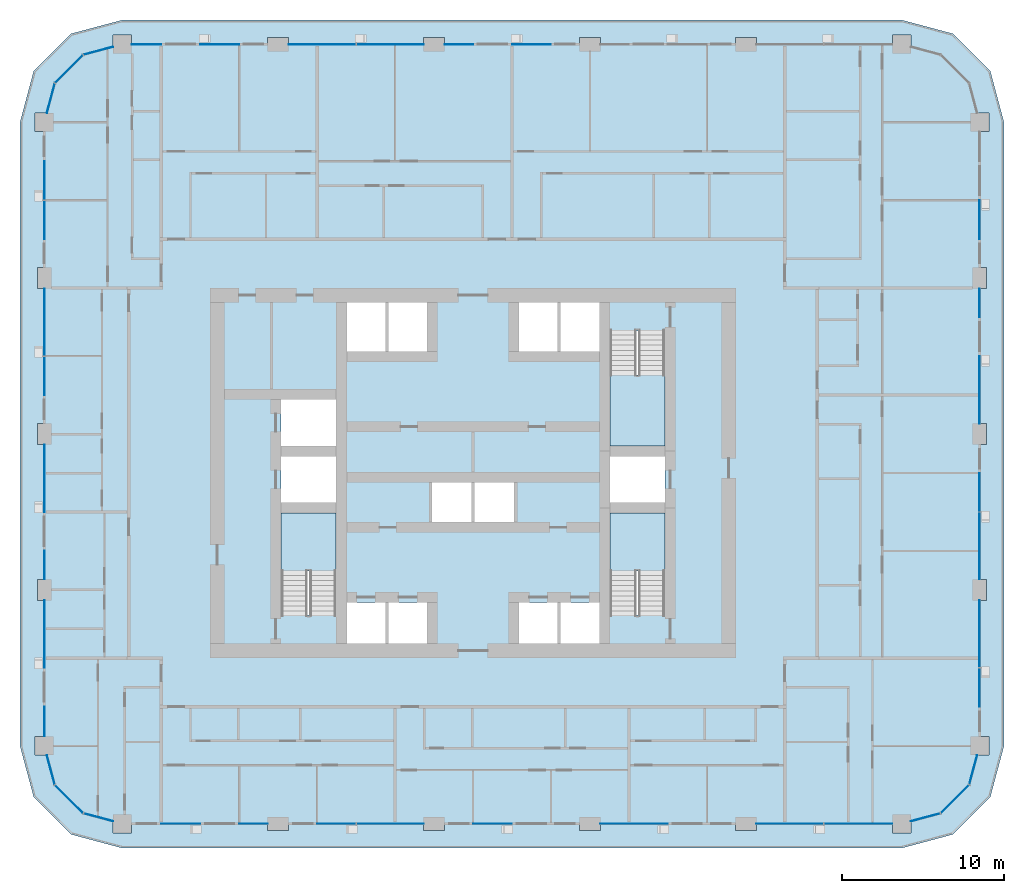
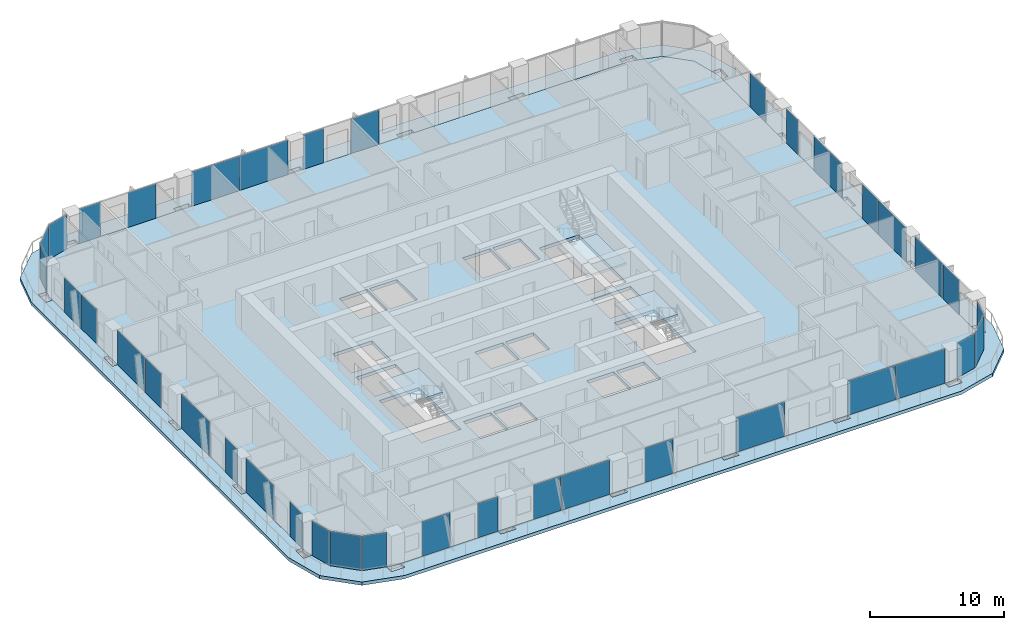
# One storey, part 7 of 21: 38 plates, 5 slabs, 22 elements without a shape of their own.
"""IFC4 building model written with IfcOpenShell, lengths in metres."""

from ifc_helpers import new_model, si_unit, direction, frame, origin, origin_2d, place, context, subcontext, project, spatial, polyline, rectangle, outline, extrude, material, layer, layer_set, type_object, element, aggregate, save


model = new_model("IFC4")

# Units and contexts
model_context = context("Model", 3, precision=1e-05, world=origin(), true_north=direction((0.0, 1.0)))
body_context = subcontext(model_context, "Body", "Model", "MODEL_VIEW")
ifc_project = project(units=[si_unit("LENGTHUNIT", "METRE"), si_unit("AREAUNIT", "SQUARE_METRE"), si_unit("VOLUMEUNIT", "CUBIC_METRE"), si_unit("PLANEANGLEUNIT", "RADIAN"), si_unit("MASSUNIT", "GRAM", prefix="KILO")], contexts=[model_context])

# Site, building, storey
site_placement = place(None, origin())
site = spatial("IfcSite", under=ifc_project, at=site_placement, CompositionType="ELEMENT")
building_placement = place(site_placement, origin())
building = spatial("IfcBuilding", under=site, at=building_placement, Name="Madar Terraces", CompositionType="ELEMENT")
storey_placement = place(building_placement, frame((0.0, 0.0, 106.699951171875)))
storey = spatial("IfcBuildingStorey", under=building, at=storey_placement, Name="L27", CompositionType="ELEMENT", Elevation=106.699951171875)

# Slabs
ifc_material_1 = material(Name="Concrete C50/60", Category="concrete")
ifc_layer_1 = layer(ifc_material_1, 0.300048828125)
ifc_layer_set_1 = layer_set([ifc_layer_1], Name="Balcony band 300")
slab_type_1 = type_object("IfcSlabType", Name="Balcony band 300", PredefinedType="FLOOR", material=ifc_layer_set_1)
slab_1_placement = place(storey_placement, frame((0.0, 0.0, -0.300048828125)))
element("IfcSlab", 1, at=slab_1_placement, inside=storey, type_object=slab_type_1, Name="Balcony band", PredefinedType="FLOOR", context=body_context, shape_type="SweptSolid", body=[
    extrude(outline(polyline([(9.60009765625, 3.300048828125), (6.449951171875, 4.14404296875), (4.14404296875, 6.449951171875), (3.300048828125, 9.60009765625), (3.300048828125, 48.0), (4.14404296875, 51.14990234375), (6.449951171875, 53.4560546875), (9.60009765625, 54.300048828125), (57.60009765625, 54.300048828125), (60.75, 53.4560546875), (63.055908203125, 51.14990234375), (63.89990234375, 48.0), (63.89990234375, 9.60009765625), (63.055908203125, 6.449951171875), (60.75, 4.14404296875), (57.60009765625, 3.300048828125), (9.60009765625, 3.300048828125)]), holes=[polyline([(10.175048828125, 4.22509765625), (10.175048828125, 4.800048828125), (18.550048828125, 4.800048828125), (18.550048828125, 4.375), (19.85009765625, 4.375), (19.85009765625, 4.800048828125), (28.14990234375, 4.800048828125), (28.14990234375, 4.375), (29.449951171875, 4.375), (29.449951171875, 4.800048828125), (37.75, 4.800048828125), (37.75, 4.375), (39.050048828125, 4.375), (39.050048828125, 4.800048828125), (47.35009765625, 4.800048828125), (47.35009765625, 4.375), (48.64990234375, 4.375), (48.64990234375, 4.800048828125), (57.02490234375, 4.800048828125), (57.02490234375, 4.22509765625), (58.175048828125, 4.22509765625), (58.175048828125, 4.9541015625), (60.0, 5.443115234375), (61.7568359375, 7.199951171875), (62.245849609375, 9.02490234375), (62.97509765625, 9.02490234375), (62.97509765625, 10.175048828125), (62.39990234375, 10.175048828125), (62.39990234375, 18.550048828125), (62.824951171875, 18.550048828125), (62.824951171875, 19.85009765625), (62.39990234375, 19.85009765625), (62.39990234375, 28.14990234375), (62.824951171875, 28.14990234375), (62.824951171875, 29.449951171875), (62.39990234375, 29.449951171875), (62.39990234375, 37.75), (62.824951171875, 37.75), (62.824951171875, 39.050048828125), (62.39990234375, 39.050048828125), (62.39990234375, 47.425048828125), (62.97509765625, 47.425048828125), (62.97509765625, 48.574951171875), (62.245849609375, 48.574951171875), (61.7568359375, 50.39990234375), (60.0, 52.156982421875), (58.175048828125, 52.64599609375), (58.175048828125, 53.375), (57.02490234375, 53.375), (57.02490234375, 52.800048828125), (48.64990234375, 52.800048828125), (48.64990234375, 53.22509765625), (47.35009765625, 53.22509765625), (47.35009765625, 52.800048828125), (39.050048828125, 52.800048828125), (39.050048828125, 53.22509765625), (37.75, 53.22509765625), (37.75, 52.800048828125), (29.449951171875, 52.800048828125), (29.449951171875, 53.22509765625), (28.14990234375, 53.22509765625), (28.14990234375, 52.800048828125), (19.85009765625, 52.800048828125), (19.85009765625, 53.22509765625), (18.550048828125, 53.22509765625), (18.550048828125, 52.800048828125), (10.175048828125, 52.800048828125), (10.175048828125, 53.375), (9.02490234375, 53.375), (9.02490234375, 52.64599609375), (7.199951171875, 52.156982421875), (5.443115234375, 50.39990234375), (4.9541015625, 48.574951171875), (4.22509765625, 48.574951171875), (4.22509765625, 47.425048828125), (4.800048828125, 47.425048828125), (4.800048828125, 39.050048828125), (4.375, 39.050048828125), (4.375, 37.75), (4.800048828125, 37.75), (4.800048828125, 29.449951171875), (4.375, 29.449951171875), (4.375, 28.14990234375), (4.800048828125, 28.14990234375), (4.800048828125, 19.85009765625), (4.375, 19.85009765625), (4.375, 18.550048828125), (4.800048828125, 18.550048828125), (4.800048828125, 10.175048828125), (4.22509765625, 10.175048828125), (4.22509765625, 9.02490234375), (4.9541015625, 9.02490234375), (5.443115234375, 7.199951171875), (7.199951171875, 5.443115234375), (9.02490234375, 4.9541015625), (9.02490234375, 4.22509765625), (10.175048828125, 4.22509765625)])]), origin(), (0.0, 0.0, 1.0), 0.300048828125),
])
ifc_material_2 = material(Name="Concrete C50/60", Category="concrete")
ifc_layer_2 = layer(ifc_material_2, 0.300048828125)
ifc_layer_set_2 = layer_set([ifc_layer_2], Name="FS2 PT flat slab 300")
slab_type_2 = type_object("IfcSlabType", Name="FS2 PT flat slab 300", PredefinedType="FLOOR", material=ifc_layer_set_2)
slab_2_placement = place(storey_placement, frame((0.0, 0.0, -0.300048828125)))
element("IfcSlab", 2, at=slab_2_placement, inside=storey, type_object=slab_type_2, Name="Floor slab L27 (1)", PredefinedType="FLOOR", context=body_context, shape_type="SweptSolid", body=[
    extrude(outline(polyline([(57.60009765625, 4.800048828125), (60.0, 5.443115234375), (61.7568359375, 7.199951171875), (62.39990234375, 9.60009765625), (62.39990234375, 48.0), (61.7568359375, 50.39990234375), (60.0, 52.156982421875), (57.60009765625, 52.800048828125), (9.60009765625, 52.800048828125), (7.199951171875, 52.156982421875), (5.443115234375, 50.39990234375), (4.800048828125, 48.0), (4.800048828125, 9.60009765625), (5.443115234375, 7.199951171875), (7.199951171875, 5.443115234375), (9.60009765625, 4.800048828125), (57.60009765625, 4.800048828125)]), holes=[polyline([(23.425048828125, 15.89990234375), (23.425048828125, 18.425048828125), (25.800048828125, 18.425048828125), (25.800048828125, 15.89990234375), (23.425048828125, 15.89990234375)]), polyline([(26.0, 15.89990234375), (26.0, 18.425048828125), (28.375, 18.425048828125), (28.375, 15.89990234375), (26.0, 15.89990234375)]), polyline([(19.375, 17.64990234375), (19.375, 23.925048828125), (22.77490234375, 23.925048828125), (22.77490234375, 17.64990234375), (19.375, 17.64990234375)]), polyline([(28.675048828125, 23.375), (28.675048828125, 25.824951171875), (31.10009765625, 25.824951171875), (31.10009765625, 23.375), (28.675048828125, 23.375)]), polyline([(19.375, 24.574951171875), (19.375, 27.425048828125), (22.77490234375, 27.425048828125), (22.77490234375, 24.574951171875), (19.375, 24.574951171875)]), polyline([(19.375, 28.074951171875), (19.375, 30.925048828125), (22.77490234375, 30.925048828125), (22.77490234375, 28.074951171875), (19.375, 28.074951171875)]), polyline([(23.425048828125, 33.875), (23.425048828125, 36.89990234375), (25.800048828125, 36.89990234375), (25.800048828125, 33.875), (23.425048828125, 33.875)]), polyline([(26.0, 33.875), (26.0, 36.89990234375), (28.375, 36.89990234375), (28.375, 33.875), (26.0, 33.875)]), polyline([(34.02490234375, 15.89990234375), (34.02490234375, 18.425048828125), (36.39990234375, 18.425048828125), (36.39990234375, 15.89990234375), (34.02490234375, 15.89990234375)]), polyline([(36.60009765625, 15.89990234375), (36.60009765625, 18.425048828125), (38.97509765625, 18.425048828125), (38.97509765625, 15.89990234375), (36.60009765625, 15.89990234375)]), polyline([(39.625, 17.64990234375), (39.625, 23.925048828125), (43.02490234375, 23.925048828125), (43.02490234375, 17.64990234375), (39.625, 17.64990234375)]), polyline([(31.300048828125, 23.375), (31.300048828125, 25.824951171875), (33.72509765625, 25.824951171875), (33.72509765625, 23.375), (31.300048828125, 23.375)]), polyline([(39.625, 24.574951171875), (39.625, 27.425048828125), (43.02490234375, 27.425048828125), (43.02490234375, 24.574951171875), (39.625, 24.574951171875)]), polyline([(39.625, 28.074951171875), (39.625, 35.14990234375), (43.02490234375, 35.14990234375), (43.02490234375, 28.074951171875), (39.625, 28.074951171875)]), polyline([(34.02490234375, 33.875), (34.02490234375, 36.89990234375), (36.39990234375, 36.89990234375), (36.39990234375, 33.875), (34.02490234375, 33.875)]), polyline([(36.60009765625, 33.875), (36.60009765625, 36.89990234375), (38.97509765625, 36.89990234375), (38.97509765625, 33.875), (36.60009765625, 33.875)])]), origin(), (0.0, 0.0, 1.0), 0.300048828125),
])

# Curtain wall, plates
ifc_material_3 = material(Name="Glass, ceramic frit dark grey, with black aluminium frame", Category="aluminium")
ifc_layer_3 = layer(ifc_material_3, 0.199951171875)
ifc_layer_set_3 = layer_set([ifc_layer_3], Name="Facade curtain wall, fritted glass")
curtain_wall_type = type_object("IfcCurtainWallType", Name="Facade curtain wall, fritted glass", PredefinedType="NOTDEFINED", material=ifc_layer_set_3)
curtain_wall_1_placement = place(storey_placement, origin())
curtain_wall_1 = element("IfcCurtainWall", 3, at=curtain_wall_1_placement, inside=storey, type_object=curtain_wall_type, Name="Outer skin curtain wall south bay 1", PredefinedType="NOTDEFINED")
ifc_material_4 = material(Name="Glass, ceramic frit dark grey", Category="glass")
ifc_layer_4 = layer(ifc_material_4, 0.028076171875)
ifc_layer_set_4 = layer_set([ifc_layer_4], Name="Facade glass panel 28")
plate_type = type_object("IfcPlateType", Name="Facade glass panel 28", PredefinedType="CURTAIN_PANEL", material=ifc_layer_set_4)
plate_1_placement = place(storey_placement, frame((13.199951171875, 4.800048828125, 0.0), z_axis=(0.0, 0.0, 1.0), x_axis=(1.0, 0.0, 0.0)))
plate_1 = element("IfcPlate", 4, at=plate_1_placement, type_object=plate_type, Name="Panel 1", PredefinedType="CURTAIN_PANEL", context=body_context, shape_type="SweptSolid", body=[
    extrude(rectangle(XDim=2.39990234375, YDim=0.028076171875, at=origin_2d()), origin(), (0.0, 0.0, 1.0), 3.139892578125),
])
plate_2_placement = place(storey_placement, frame((17.675048828125, 4.800048828125, 0.0), z_axis=(0.0, 0.0, 1.0), x_axis=(1.0, 0.0, 0.0)))
plate_2 = element("IfcPlate", 5, at=plate_2_placement, type_object=plate_type, Name="Panel 2", PredefinedType="CURTAIN_PANEL", context=body_context, shape_type="SweptSolid", body=[
    extrude(rectangle(XDim=1.75, YDim=0.028076171875, at=origin_2d()), origin(), (0.0, 0.0, 1.0), 3.139892578125),
])
aggregate(curtain_wall_1, [plate_1, plate_2])

curtain_wall_2_placement = place(storey_placement, origin())
curtain_wall_2 = element("IfcCurtainWall", 6, at=curtain_wall_2_placement, inside=storey, type_object=curtain_wall_type, Name="Outer skin curtain wall south bay 2", PredefinedType="NOTDEFINED")
plate_3_placement = place(storey_placement, frame((22.784912109375, 4.800048828125, 0.0), z_axis=(0.0, 0.0, 1.0), x_axis=(1.0, 0.0, 0.0)))
plate_3 = element("IfcPlate", 7, at=plate_3_placement, type_object=plate_type, Name="Panel 1", PredefinedType="CURTAIN_PANEL", context=body_context, shape_type="SweptSolid", body=[
    extrude(rectangle(XDim=2.3701171875, YDim=0.028076171875, at=origin_2d()), origin(), (0.0, 0.0, 1.0), 3.139892578125),
])
plate_4_placement = place(storey_placement, frame((26.090087890625, 4.800048828125, 0.0), z_axis=(0.0, 0.0, 1.0), x_axis=(1.0, 0.0, 0.0)))
plate_4 = element("IfcPlate", 8, at=plate_4_placement, type_object=plate_type, Name="Panel 2", PredefinedType="CURTAIN_PANEL", context=body_context, shape_type="SweptSolid", body=[
    extrude(rectangle(XDim=4.1201171875, YDim=0.028076171875, at=origin_2d()), origin(), (0.0, 0.0, 1.0), 3.139892578125),
])
aggregate(curtain_wall_2, [plate_3, plate_4])

# Curtain wall, plate
curtain_wall_3_placement = place(storey_placement, origin())
curtain_wall_3 = element("IfcCurtainWall", 9, at=curtain_wall_3_placement, inside=storey, type_object=curtain_wall_type, Name="Outer skin curtain wall south bay 3", PredefinedType="NOTDEFINED")
plate_5_placement = place(storey_placement, frame((32.39990234375, 4.800048828125, 0.0), z_axis=(0.0, 0.0, 1.0), x_axis=(1.0, 0.0, 0.0)))
plate_5 = element("IfcPlate", 10, at=plate_5_placement, type_object=plate_type, Name="Panel 1", PredefinedType="CURTAIN_PANEL", context=body_context, shape_type="SweptSolid", body=[
    extrude(rectangle(XDim=2.39990234375, YDim=0.028076171875, at=origin_2d()), origin(), (0.0, 0.0, 1.0), 3.139892578125),
])
aggregate(curtain_wall_3, [plate_5])

curtain_wall_4_placement = place(storey_placement, origin())
curtain_wall_4 = element("IfcCurtainWall", 11, at=curtain_wall_4_placement, inside=storey, type_object=curtain_wall_type, Name="Outer skin curtain wall south bay 4", PredefinedType="NOTDEFINED")
plate_6_placement = place(storey_placement, frame((41.125, 4.800048828125, 0.0), z_axis=(0.0, 0.0, 1.0), x_axis=(1.0, 0.0, 0.0)))
plate_6 = element("IfcPlate", 12, at=plate_6_placement, type_object=plate_type, Name="Panel 1", PredefinedType="CURTAIN_PANEL", context=body_context, shape_type="SweptSolid", body=[
    extrude(rectangle(XDim=4.14990234375, YDim=0.028076171875, at=origin_2d()), origin(), (0.0, 0.0, 1.0), 3.139892578125),
])
aggregate(curtain_wall_4, [plate_6])

# Curtain wall, plates
curtain_wall_5_placement = place(storey_placement, origin())
curtain_wall_5 = element("IfcCurtainWall", 13, at=curtain_wall_5_placement, inside=storey, type_object=curtain_wall_type, Name="Outer skin curtain wall south bay 5", PredefinedType="NOTDEFINED")
plate_7_placement = place(storey_placement, frame((50.7099609375, 4.800048828125, 0.0), z_axis=(0.0, 0.0, 1.0), x_axis=(1.0, 0.0, 0.0)))
plate_7 = element("IfcPlate", 14, at=plate_7_placement, type_object=plate_type, Name="Panel 1", PredefinedType="CURTAIN_PANEL", context=body_context, shape_type="SweptSolid", body=[
    extrude(rectangle(XDim=4.1201171875, YDim=0.028076171875, at=origin_2d()), origin(), (0.0, 0.0, 1.0), 3.139892578125),
])
plate_8_placement = place(storey_placement, frame((54.927490234375, 4.800048828125, 0.0), z_axis=(0.0, 0.0, 1.0), x_axis=(1.0, 0.0, 0.0)))
plate_8 = element("IfcPlate", 15, at=plate_8_placement, type_object=plate_type, Name="Panel 2", PredefinedType="CURTAIN_PANEL", context=body_context, shape_type="SweptSolid", body=[
    extrude(rectangle(XDim=4.195068359375, YDim=0.028076171875, at=origin_2d()), origin(), (0.0, 0.0, 1.0), 3.139892578125),
])
aggregate(curtain_wall_5, [plate_7, plate_8])

curtain_wall_6_placement = place(storey_placement, origin())
curtain_wall_6 = element("IfcCurtainWall", 16, at=curtain_wall_6_placement, inside=storey, type_object=curtain_wall_type, Name="Outer skin curtain wall east bay 1", PredefinedType="NOTDEFINED")
plate_9_placement = place(storey_placement, frame((62.39990234375, 13.18505859375, 0.0), z_axis=(0.0, 0.0, 1.0), x_axis=(0.0, 1.0, 0.0)))
plate_9 = element("IfcPlate", 17, at=plate_9_placement, type_object=plate_type, Name="Panel 1", PredefinedType="CURTAIN_PANEL", context=body_context, shape_type="SweptSolid", body=[
    extrude(rectangle(XDim=2.3701171875, YDim=0.028076171875, at=origin_2d()), origin(), (0.0, 0.0, 1.0), 3.139892578125),
])
plate_10_placement = place(storey_placement, frame((62.39990234375, 16.489990234375, 0.0), z_axis=(0.0, 0.0, 1.0), x_axis=(0.0, 1.0, 0.0)))
plate_10 = element("IfcPlate", 18, at=plate_10_placement, type_object=plate_type, Name="Panel 2", PredefinedType="CURTAIN_PANEL", context=body_context, shape_type="SweptSolid", body=[
    extrude(rectangle(XDim=4.1201171875, YDim=0.028076171875, at=origin_2d()), origin(), (0.0, 0.0, 1.0), 3.139892578125),
])
aggregate(curtain_wall_6, [plate_9, plate_10])

curtain_wall_7_placement = place(storey_placement, origin())
curtain_wall_7 = element("IfcCurtainWall", 19, at=curtain_wall_7_placement, inside=storey, type_object=curtain_wall_type, Name="Outer skin curtain wall east bay 2", PredefinedType="NOTDEFINED")
plate_11_placement = place(storey_placement, frame((62.39990234375, 21.909912109375, 0.0), z_axis=(0.0, 0.0, 1.0), x_axis=(0.0, 1.0, 0.0)))
plate_11 = element("IfcPlate", 20, at=plate_11_placement, type_object=plate_type, Name="Panel 1", PredefinedType="CURTAIN_PANEL", context=body_context, shape_type="SweptSolid", body=[
    extrude(rectangle(XDim=4.1201171875, YDim=0.028076171875, at=origin_2d()), origin(), (0.0, 0.0, 1.0), 3.139892578125),
])
plate_12_placement = place(storey_placement, frame((62.39990234375, 25.215087890625, 0.0), z_axis=(0.0, 0.0, 1.0), x_axis=(0.0, 1.0, 0.0)))
plate_12 = element("IfcPlate", 21, at=plate_12_placement, type_object=plate_type, Name="Panel 2", PredefinedType="CURTAIN_PANEL", context=body_context, shape_type="SweptSolid", body=[
    extrude(rectangle(XDim=2.3701171875, YDim=0.028076171875, at=origin_2d()), origin(), (0.0, 0.0, 1.0), 3.139892578125),
])
aggregate(curtain_wall_7, [plate_11, plate_12])

curtain_wall_8_placement = place(storey_placement, origin())
curtain_wall_8 = element("IfcCurtainWall", 22, at=curtain_wall_8_placement, inside=storey, type_object=curtain_wall_type, Name="Outer skin curtain wall east bay 3", PredefinedType="NOTDEFINED")
plate_13_placement = place(storey_placement, frame((62.39990234375, 31.52490234375, 0.0), z_axis=(0.0, 0.0, 1.0), x_axis=(0.0, 1.0, 0.0)))
plate_13 = element("IfcPlate", 23, at=plate_13_placement, type_object=plate_type, Name="Panel 1", PredefinedType="CURTAIN_PANEL", context=body_context, shape_type="SweptSolid", body=[
    extrude(rectangle(XDim=4.14990234375, YDim=0.028076171875, at=origin_2d()), origin(), (0.0, 0.0, 1.0), 3.139892578125),
])
plate_14_placement = place(storey_placement, frame((62.39990234375, 36.875, 0.0), z_axis=(0.0, 0.0, 1.0), x_axis=(0.0, 1.0, 0.0)))
plate_14 = element("IfcPlate", 24, at=plate_14_placement, type_object=plate_type, Name="Panel 2", PredefinedType="CURTAIN_PANEL", context=body_context, shape_type="SweptSolid", body=[
    extrude(rectangle(XDim=1.75, YDim=0.028076171875, at=origin_2d()), origin(), (0.0, 0.0, 1.0), 3.139892578125),
])
aggregate(curtain_wall_8, [plate_13, plate_14])

# Curtain wall, plate
curtain_wall_9_placement = place(storey_placement, origin())
curtain_wall_9 = element("IfcCurtainWall", 25, at=curtain_wall_9_placement, inside=storey, type_object=curtain_wall_type, Name="Outer skin curtain wall east bay 4", PredefinedType="NOTDEFINED")
plate_15_placement = place(storey_placement, frame((62.39990234375, 42.0, 0.0), z_axis=(0.0, 0.0, 1.0), x_axis=(0.0, 1.0, 0.0)))
plate_15 = element("IfcPlate", 26, at=plate_15_placement, type_object=plate_type, Name="Panel 1", PredefinedType="CURTAIN_PANEL", context=body_context, shape_type="SweptSolid", body=[
    extrude(rectangle(XDim=2.39990234375, YDim=0.028076171875, at=origin_2d()), origin(), (0.0, 0.0, 1.0), 3.139892578125),
])
aggregate(curtain_wall_9, [plate_15])

# Curtain wall, plates
curtain_wall_10_placement = place(storey_placement, origin())
curtain_wall_10 = element("IfcCurtainWall", 27, at=curtain_wall_10_placement, inside=storey, type_object=curtain_wall_type, Name="Outer skin curtain wall north bay 3", PredefinedType="NOTDEFINED")
plate_16_placement = place(storey_placement, frame((34.800048828125, 52.800048828125, 0.0), z_axis=(0.0, 0.0, 1.0), x_axis=(-1.0, 0.0, 0.0)))
plate_16 = element("IfcPlate", 28, at=plate_16_placement, type_object=plate_type, Name="Panel 1", PredefinedType="CURTAIN_PANEL", context=body_context, shape_type="SweptSolid", body=[
    extrude(rectangle(XDim=2.39990234375, YDim=0.028076171875, at=origin_2d()), origin(), (0.0, 0.0, 1.0), 3.139892578125),
])
plate_17_placement = place(storey_placement, frame((30.324951171875, 52.800048828125, 0.0), z_axis=(0.0, 0.0, 1.0), x_axis=(-1.0, 0.0, 0.0)))
plate_17 = element("IfcPlate", 29, at=plate_17_placement, type_object=plate_type, Name="Panel 2", PredefinedType="CURTAIN_PANEL", context=body_context, shape_type="SweptSolid", body=[
    extrude(rectangle(XDim=1.75, YDim=0.028076171875, at=origin_2d()), origin(), (0.0, 0.0, 1.0), 3.139892578125),
])
aggregate(curtain_wall_10, [plate_16, plate_17])

curtain_wall_11_placement = place(storey_placement, origin())
curtain_wall_11 = element("IfcCurtainWall", 30, at=curtain_wall_11_placement, inside=storey, type_object=curtain_wall_type, Name="Outer skin curtain wall north bay 4", PredefinedType="NOTDEFINED")
plate_18_placement = place(storey_placement, frame((26.090087890625, 52.800048828125, 0.0), z_axis=(0.0, 0.0, 1.0), x_axis=(-1.0, 0.0, 0.0)))
plate_18 = element("IfcPlate", 31, at=plate_18_placement, type_object=plate_type, Name="Panel 1", PredefinedType="CURTAIN_PANEL", context=body_context, shape_type="SweptSolid", body=[
    extrude(rectangle(XDim=4.1201171875, YDim=0.028076171875, at=origin_2d()), origin(), (0.0, 0.0, 1.0), 3.139892578125),
])
plate_19_placement = place(storey_placement, frame((21.909912109375, 52.800048828125, 0.0), z_axis=(0.0, 0.0, 1.0), x_axis=(-1.0, 0.0, 0.0)))
plate_19 = element("IfcPlate", 32, at=plate_19_placement, type_object=plate_type, Name="Panel 2", PredefinedType="CURTAIN_PANEL", context=body_context, shape_type="SweptSolid", body=[
    extrude(rectangle(XDim=4.1201171875, YDim=0.028076171875, at=origin_2d()), origin(), (0.0, 0.0, 1.0), 3.139892578125),
])
aggregate(curtain_wall_11, [plate_18, plate_19])

curtain_wall_12_placement = place(storey_placement, origin())
curtain_wall_12 = element("IfcCurtainWall", 33, at=curtain_wall_12_placement, inside=storey, type_object=curtain_wall_type, Name="Outer skin curtain wall north bay 5", PredefinedType="NOTDEFINED")
plate_20_placement = place(storey_placement, frame((15.60009765625, 52.800048828125, 0.0), z_axis=(0.0, 0.0, 1.0), x_axis=(-1.0, 0.0, 0.0)))
plate_20 = element("IfcPlate", 34, at=plate_20_placement, type_object=plate_type, Name="Panel 1", PredefinedType="CURTAIN_PANEL", context=body_context, shape_type="SweptSolid", body=[
    extrude(rectangle(XDim=2.39990234375, YDim=0.028076171875, at=origin_2d()), origin(), (0.0, 0.0, 1.0), 3.139892578125),
])
plate_21_placement = place(storey_placement, frame((11.08740234375, 52.800048828125, 0.0), z_axis=(0.0, 0.0, 1.0), x_axis=(-1.0, 0.0, 0.0)))
plate_21 = element("IfcPlate", 35, at=plate_21_placement, type_object=plate_type, Name="Panel 2", PredefinedType="CURTAIN_PANEL", context=body_context, shape_type="SweptSolid", body=[
    extrude(rectangle(XDim=1.824951171875, YDim=0.028076171875, at=origin_2d()), origin(), (0.0, 0.0, 1.0), 3.139892578125),
])
aggregate(curtain_wall_12, [plate_20, plate_21])

curtain_wall_13_placement = place(storey_placement, origin())
curtain_wall_13 = element("IfcCurtainWall", 36, at=curtain_wall_13_placement, inside=storey, type_object=curtain_wall_type, Name="Outer skin curtain wall west bay 1", PredefinedType="NOTDEFINED")
plate_22_placement = place(storey_placement, frame((4.800048828125, 44.4150390625, 0.0), z_axis=(0.0, 0.0, 1.0), x_axis=(0.0, -1.0, 0.0)))
plate_22 = element("IfcPlate", 37, at=plate_22_placement, type_object=plate_type, Name="Panel 1", PredefinedType="CURTAIN_PANEL", context=body_context, shape_type="SweptSolid", body=[
    extrude(rectangle(XDim=2.3701171875, YDim=0.028076171875, at=origin_2d()), origin(), (0.0, 0.0, 1.0), 3.139892578125),
])
plate_23_placement = place(storey_placement, frame((4.800048828125, 41.985107421875, 0.0), z_axis=(0.0, 0.0, 1.0), x_axis=(0.0, -1.0, 0.0)))
plate_23 = element("IfcPlate", 38, at=plate_23_placement, type_object=plate_type, Name="Panel 2", PredefinedType="CURTAIN_PANEL", context=body_context, shape_type="SweptSolid", body=[
    extrude(rectangle(XDim=2.3701171875, YDim=0.028076171875, at=origin_2d()), origin(), (0.0, 0.0, 1.0), 3.139892578125),
])
aggregate(curtain_wall_13, [plate_22, plate_23])

curtain_wall_14_placement = place(storey_placement, origin())
curtain_wall_14 = element("IfcCurtainWall", 39, at=curtain_wall_14_placement, inside=storey, type_object=curtain_wall_type, Name="Outer skin curtain wall west bay 2", PredefinedType="NOTDEFINED")
plate_24_placement = place(storey_placement, frame((4.800048828125, 35.68994140625, 0.0), z_axis=(0.0, 0.0, 1.0), x_axis=(0.0, -1.0, 0.0)))
plate_24 = element("IfcPlate", 40, at=plate_24_placement, type_object=plate_type, Name="Panel 1", PredefinedType="CURTAIN_PANEL", context=body_context, shape_type="SweptSolid", body=[
    extrude(rectangle(XDim=4.1201171875, YDim=0.028076171875, at=origin_2d()), origin(), (0.0, 0.0, 1.0), 3.139892578125),
])
plate_25_placement = place(storey_placement, frame((4.800048828125, 32.385009765625, 0.0), z_axis=(0.0, 0.0, 1.0), x_axis=(0.0, -1.0, 0.0)))
plate_25 = element("IfcPlate", 41, at=plate_25_placement, type_object=plate_type, Name="Panel 2", PredefinedType="CURTAIN_PANEL", context=body_context, shape_type="SweptSolid", body=[
    extrude(rectangle(XDim=2.3701171875, YDim=0.028076171875, at=origin_2d()), origin(), (0.0, 0.0, 1.0), 3.139892578125),
])
aggregate(curtain_wall_14, [plate_24, plate_25])

curtain_wall_15_placement = place(storey_placement, origin())
curtain_wall_15 = element("IfcCurtainWall", 42, at=curtain_wall_15_placement, inside=storey, type_object=curtain_wall_type, Name="Outer skin curtain wall west bay 3", PredefinedType="NOTDEFINED")
plate_26_placement = place(storey_placement, frame((4.800048828125, 26.074951171875, 0.0), z_axis=(0.0, 0.0, 1.0), x_axis=(0.0, -1.0, 0.0)))
plate_26 = element("IfcPlate", 43, at=plate_26_placement, type_object=plate_type, Name="Panel 1", PredefinedType="CURTAIN_PANEL", context=body_context, shape_type="SweptSolid", body=[
    extrude(rectangle(XDim=4.14990234375, YDim=0.028076171875, at=origin_2d()), origin(), (0.0, 0.0, 1.0), 3.139892578125),
])
plate_27_placement = place(storey_placement, frame((4.800048828125, 20.72509765625, 0.0), z_axis=(0.0, 0.0, 1.0), x_axis=(0.0, -1.0, 0.0)))
plate_27 = element("IfcPlate", 44, at=plate_27_placement, type_object=plate_type, Name="Panel 2", PredefinedType="CURTAIN_PANEL", context=body_context, shape_type="SweptSolid", body=[
    extrude(rectangle(XDim=1.75, YDim=0.028076171875, at=origin_2d()), origin(), (0.0, 0.0, 1.0), 3.139892578125),
])
aggregate(curtain_wall_15, [plate_26, plate_27])

curtain_wall_16_placement = place(storey_placement, origin())
curtain_wall_16 = element("IfcCurtainWall", 45, at=curtain_wall_16_placement, inside=storey, type_object=curtain_wall_type, Name="Outer skin curtain wall west bay 4", PredefinedType="NOTDEFINED")
plate_28_placement = place(storey_placement, frame((4.800048828125, 16.47509765625, 0.0), z_axis=(0.0, 0.0, 1.0), x_axis=(0.0, -1.0, 0.0)))
plate_28 = element("IfcPlate", 46, at=plate_28_placement, type_object=plate_type, Name="Panel 1", PredefinedType="CURTAIN_PANEL", context=body_context, shape_type="SweptSolid", body=[
    extrude(rectangle(XDim=4.14990234375, YDim=0.028076171875, at=origin_2d()), origin(), (0.0, 0.0, 1.0), 3.139892578125),
])
plate_29_placement = place(storey_placement, frame((4.800048828125, 11.08740234375, 0.0), z_axis=(0.0, 0.0, 1.0), x_axis=(0.0, -1.0, 0.0)))
plate_29 = element("IfcPlate", 47, at=plate_29_placement, type_object=plate_type, Name="Panel 2", PredefinedType="CURTAIN_PANEL", context=body_context, shape_type="SweptSolid", body=[
    extrude(rectangle(XDim=1.824951171875, YDim=0.028076171875, at=origin_2d()), origin(), (0.0, 0.0, 1.0), 3.139892578125),
])
aggregate(curtain_wall_16, [plate_28, plate_29])

curtain_wall_17_placement = place(storey_placement, origin())
curtain_wall_17 = element("IfcCurtainWall", 48, at=curtain_wall_17_placement, inside=storey, type_object=curtain_wall_type, Name="Outer skin curtain wall south-east corner", PredefinedType="NOTDEFINED")
plate_30_placement = place(storey_placement, frame((59.072998046875, 5.194580078125, 0.0), z_axis=(0.0, 0.0, 1.0), x_axis=(0.965925832509, 0.258819021888, 0.0)))
plate_30 = element("IfcPlate", 49, at=plate_30_placement, type_object=plate_type, Name="Panel 1", PredefinedType="CURTAIN_PANEL", context=body_context, shape_type="SweptSolid", body=[
    extrude(rectangle(XDim=1.859375, YDim=0.028076171875, at=origin_2d()), origin(), (0.0, 0.0, 1.0), 3.139892578125),
])
plate_31_placement = place(storey_placement, frame((60.87841796875, 6.321533203125, 0.0), z_axis=(0.0, 0.0, 1.0), x_axis=(0.707106781187, 0.707106781187, 0.0)))
plate_31 = element("IfcPlate", 50, at=plate_31_placement, type_object=plate_type, Name="Panel 2", PredefinedType="CURTAIN_PANEL", context=body_context, shape_type="SweptSolid", body=[
    extrude(rectangle(XDim=2.424560546875, YDim=0.028076171875, at=origin_2d()), origin(), (0.0, 0.0, 1.0), 3.139892578125),
])
plate_32_placement = place(storey_placement, frame((62.00537109375, 8.126953125, 0.0), z_axis=(0.0, 0.0, 1.0), x_axis=(0.258819021888, 0.965925832509, 0.0)))
plate_32 = element("IfcPlate", 51, at=plate_32_placement, type_object=plate_type, Name="Panel 3", PredefinedType="CURTAIN_PANEL", context=body_context, shape_type="SweptSolid", body=[
    extrude(rectangle(XDim=1.859375, YDim=0.028076171875, at=origin_2d()), origin(), (0.0, 0.0, 1.0), 3.139892578125),
])
aggregate(curtain_wall_17, [plate_30, plate_31, plate_32])

curtain_wall_18_placement = place(storey_placement, origin())
curtain_wall_18 = element("IfcCurtainWall", 52, at=curtain_wall_18_placement, inside=storey, type_object=curtain_wall_type, Name="Outer skin curtain wall north-west corner", PredefinedType="NOTDEFINED")
plate_33_placement = place(storey_placement, frame((8.126953125, 52.4052734375, 0.0), z_axis=(0.0, 0.0, 1.0), x_axis=(-0.965925832509, -0.258819021888, 0.0)))
plate_33 = element("IfcPlate", 53, at=plate_33_placement, type_object=plate_type, Name="Panel 1", PredefinedType="CURTAIN_PANEL", context=body_context, shape_type="SweptSolid", body=[
    extrude(rectangle(XDim=1.859375, YDim=0.028076171875, at=origin_2d()), origin(), (0.0, 0.0, 1.0), 3.139892578125),
])
plate_34_placement = place(storey_placement, frame((6.321533203125, 51.278564453125, 0.0), z_axis=(0.0, 0.0, 1.0), x_axis=(-0.707106781187, -0.707106781187, 0.0)))
plate_34 = element("IfcPlate", 54, at=plate_34_placement, type_object=plate_type, Name="Panel 2", PredefinedType="CURTAIN_PANEL", context=body_context, shape_type="SweptSolid", body=[
    extrude(rectangle(XDim=2.424560546875, YDim=0.028076171875, at=origin_2d()), origin(), (0.0, 0.0, 1.0), 3.139892578125),
])
plate_35_placement = place(storey_placement, frame((5.194580078125, 49.472900390625, 0.0), z_axis=(0.0, 0.0, 1.0), x_axis=(-0.258819021888, -0.965925832509, 0.0)))
plate_35 = element("IfcPlate", 55, at=plate_35_placement, type_object=plate_type, Name="Panel 3", PredefinedType="CURTAIN_PANEL", context=body_context, shape_type="SweptSolid", body=[
    extrude(rectangle(XDim=1.859375, YDim=0.028076171875, at=origin_2d()), origin(), (0.0, 0.0, 1.0), 3.139892578125),
])
aggregate(curtain_wall_18, [plate_33, plate_34, plate_35])

curtain_wall_19_placement = place(storey_placement, origin())
curtain_wall_19 = element("IfcCurtainWall", 56, at=curtain_wall_19_placement, inside=storey, type_object=curtain_wall_type, Name="Outer skin curtain wall south-west corner", PredefinedType="NOTDEFINED")
plate_36_placement = place(storey_placement, frame((5.194580078125, 8.126953125, 0.0), z_axis=(0.0, 0.0, 1.0), x_axis=(0.258819021888, -0.965925832509, 0.0)))
plate_36 = element("IfcPlate", 57, at=plate_36_placement, type_object=plate_type, Name="Panel 1", PredefinedType="CURTAIN_PANEL", context=body_context, shape_type="SweptSolid", body=[
    extrude(rectangle(XDim=1.859375, YDim=0.028076171875, at=origin_2d()), origin(), (0.0, 0.0, 1.0), 3.139892578125),
])
plate_37_placement = place(storey_placement, frame((6.321533203125, 6.321533203125, 0.0), z_axis=(0.0, 0.0, 1.0), x_axis=(0.707106781187, -0.707106781187, 0.0)))
plate_37 = element("IfcPlate", 58, at=plate_37_placement, type_object=plate_type, Name="Panel 2", PredefinedType="CURTAIN_PANEL", context=body_context, shape_type="SweptSolid", body=[
    extrude(rectangle(XDim=2.424560546875, YDim=0.028076171875, at=origin_2d()), origin(), (0.0, 0.0, 1.0), 3.139892578125),
])
plate_38_placement = place(storey_placement, frame((8.126953125, 5.194580078125, 0.0), z_axis=(0.0, 0.0, 1.0), x_axis=(0.965925832509, -0.258819021888, 0.0)))
plate_38 = element("IfcPlate", 59, at=plate_38_placement, type_object=plate_type, Name="Panel 3", PredefinedType="CURTAIN_PANEL", context=body_context, shape_type="SweptSolid", body=[
    extrude(rectangle(XDim=1.859375, YDim=0.028076171875, at=origin_2d()), origin(), (0.0, 0.0, 1.0), 3.139892578125),
])
aggregate(curtain_wall_19, [plate_36, plate_37, plate_38])

# Stair, slab
ifc_material_5 = material(Name="Concrete C50/60", Category="concrete")
stair_type_1 = type_object("IfcStairType", Name="Stair ST1 protected exit", PredefinedType="HALF_TURN_STAIR", material=ifc_material_5)
stair_1_placement = place(storey_placement, origin())
stair_1 = element("IfcStair", 60, at=stair_1_placement, inside=storey, type_object=stair_type_1, Name="L27 Protected Exit Stair ST1", PredefinedType="HALF_TURN_STAIR")
ifc_material_6 = material(Name="Concrete C50/60", Category="concrete")
ifc_layer_5 = layer(ifc_material_6, 0.199951171875)
ifc_layer_set_5 = layer_set([ifc_layer_5], Name="Stair landing 200, top +1.75")
slab_type_3 = type_object("IfcSlabType", Name="Stair landing 200, top +1.75", PredefinedType="LANDING", material=ifc_layer_set_5)
slab_3_placement = place(storey_placement, frame((0.0, 0.0, 1.550048828125)))
slab_3 = element("IfcSlab", 61, at=slab_3_placement, type_object=slab_type_3, Name="ST1 landing 1", PredefinedType="LANDING", context=body_context, shape_type="SweptSolid", body=[
    extrude(outline(polyline([(19.375, 20.360107421875), (22.77490234375, 20.360107421875), (22.77490234375, 23.925048828125), (19.375, 23.925048828125), (19.375, 20.360107421875)])), origin(), (0.0, 0.0, 1.0), 0.199951171875),
])
aggregate(stair_1, [slab_3])

ifc_material_7 = material(Name="Concrete C50/60", Category="concrete")
stair_type_2 = type_object("IfcStairType", Name="Stair ST2 protected exit", PredefinedType="HALF_TURN_STAIR", material=ifc_material_7)
stair_2_placement = place(storey_placement, origin())
stair_2 = element("IfcStair", 62, at=stair_2_placement, inside=storey, type_object=stair_type_2, Name="L27 Protected Exit Stair ST2", PredefinedType="HALF_TURN_STAIR")
slab_4_placement = place(storey_placement, frame((0.0, 0.0, 1.550048828125)))
slab_4 = element("IfcSlab", 63, at=slab_4_placement, type_object=slab_type_3, Name="ST2 landing 1", PredefinedType="LANDING", context=body_context, shape_type="SweptSolid", body=[
    extrude(outline(polyline([(39.625, 28.074951171875), (43.02490234375, 28.074951171875), (43.02490234375, 32.43994140625), (39.625, 32.43994140625), (39.625, 28.074951171875)])), origin(), (0.0, 0.0, 1.0), 0.199951171875),
])
aggregate(stair_2, [slab_4])

ifc_material_8 = material(Name="Concrete C50/60", Category="concrete")
stair_type_3 = type_object("IfcStairType", Name="Stair ST3 protected exit", PredefinedType="HALF_TURN_STAIR", material=ifc_material_8)
stair_3_placement = place(storey_placement, origin())
stair_3 = element("IfcStair", 64, at=stair_3_placement, inside=storey, type_object=stair_type_3, Name="L27 Protected Exit Stair ST3", PredefinedType="HALF_TURN_STAIR")
slab_5_placement = place(storey_placement, frame((0.0, 0.0, 1.550048828125)))
slab_5 = element("IfcSlab", 65, at=slab_5_placement, type_object=slab_type_3, Name="ST3 landing 1", PredefinedType="LANDING", context=body_context, shape_type="SweptSolid", body=[
    extrude(outline(polyline([(39.625, 20.360107421875), (43.02490234375, 20.360107421875), (43.02490234375, 23.925048828125), (39.625, 23.925048828125), (39.625, 20.360107421875)])), origin(), (0.0, 0.0, 1.0), 0.199951171875),
])
aggregate(stair_3, [slab_5])

save(model, "model.ifc")
